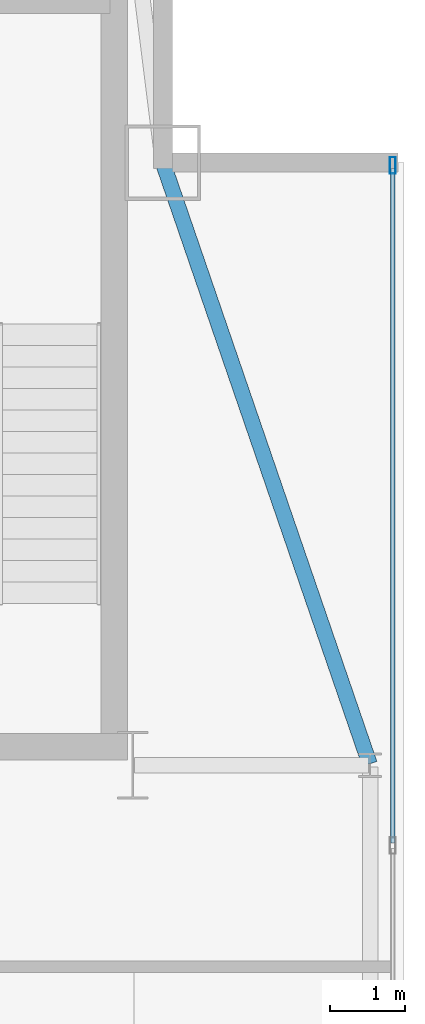
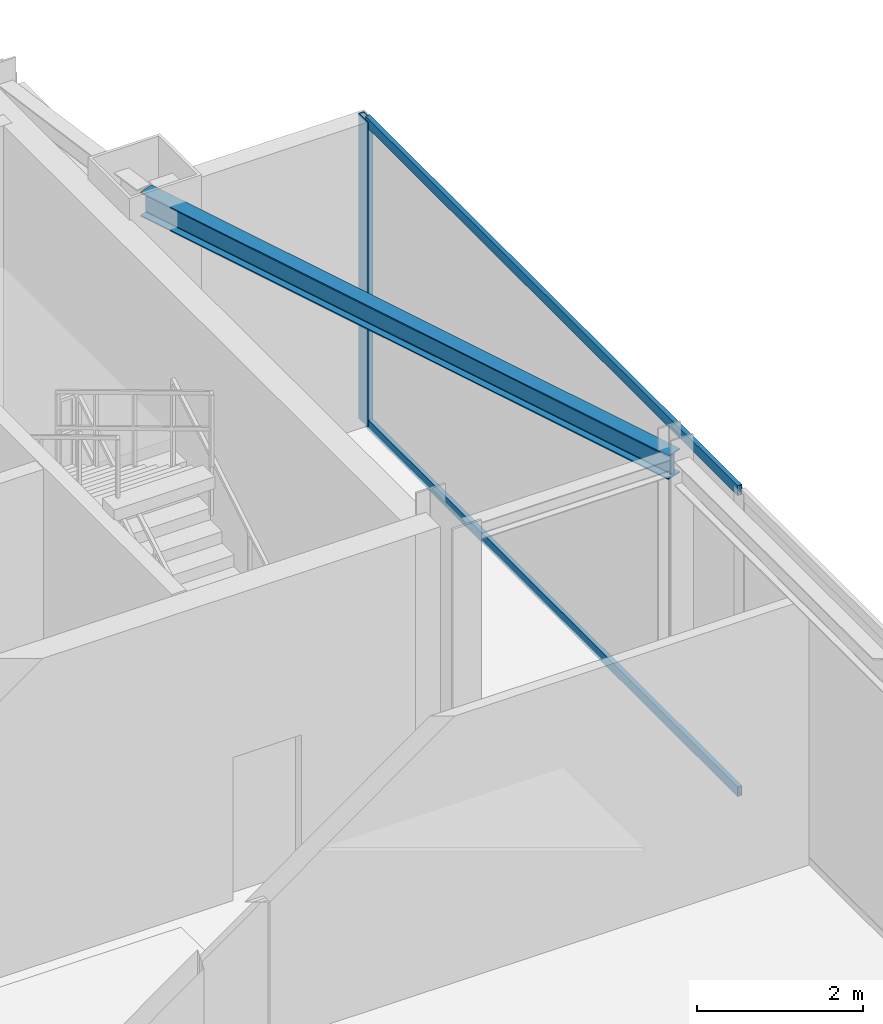
# One storey, part 16 of 20: 3 members, 1 beam, 1 element without a shape of its own.
"""IFC4 building model written with IfcOpenShell, lengths in metres."""

from ifc_helpers import new_model, si_unit, direction, frame, origin, origin_2d, place, context, subcontext, project, spatial, hollow_rectangle, i_section, extrude, source, transform, mapped, material, layer, layer_set, material_profile, profile_set, type_object, type_shapes, element, aggregate, save


model = new_model("IFC4")

# Units and contexts
model_context = context("Model", 3, precision=1e-05, world=origin(), true_north=direction((0.0, 1.0)))
body_context = subcontext(model_context, "Body", "Model", "MODEL_VIEW")
ifc_project = project(units=[si_unit("LENGTHUNIT", "METRE"), si_unit("AREAUNIT", "SQUARE_METRE"), si_unit("VOLUMEUNIT", "CUBIC_METRE"), si_unit("PLANEANGLEUNIT", "RADIAN"), si_unit("MASSUNIT", "GRAM", prefix="KILO")], contexts=[model_context])

# Site, building, storey
site_placement = place(None, origin())
site = spatial("IfcSite", under=ifc_project, at=site_placement, CompositionType="ELEMENT")
building_placement = place(site_placement, origin())
building = spatial("IfcBuilding", under=site, at=building_placement, Name="Varnel Quay Broadcast Tower", CompositionType="ELEMENT")
storey_placement = place(building_placement, frame((0.0, 0.0, 309.800048828125)))
storey = spatial("IfcBuildingStorey", under=building, at=storey_placement, Name="L77", CompositionType="ELEMENT", Elevation=309.800048828125)

# Beam
ifc_material_1 = material(Name="Structural Steel CSA G40.21 350W", Category="steel")
ifc_material_profile_1 = material_profile(ifc_material_1, i_section(OverallWidth=0.205078125, OverallDepth=0.35400390625, WebThickness=0.009521484375, FlangeThickness=0.016845703125, FilletRadius=0.012939453125, at=origin_2d()), Name="W360X79")
ifc_profile_set_1 = profile_set([ifc_material_profile_1], Name="Structural Steel CSA G40.21 350W")
beam_type = type_object("IfcBeamType", Name="Beam_W360X79", PredefinedType="SPANDREL", material=ifc_profile_set_1)
shared_shape_1 = source(origin(), body_context, "Body", "SweptSolid", [
    extrude(i_section(OverallWidth=0.205078125, OverallDepth=0.35400390625, WebThickness=0.009521484375, FlangeThickness=0.016845703125, FilletRadius=0.012939453125, at=origin_2d()), origin(), (0.0, 0.0, 1.0), 8.41943359375),
])
type_shapes(beam_type, [shared_shape_1])
beam_placement = place(storey_placement, frame((55.54345703125, 35.618896484375, 4.302978515625), z_axis=(-0.325087062108, 0.945684092099, 0.0), x_axis=(-0.945684092099, -0.325087062108, 0.0)))
element("IfcBeam", 1, at=beam_placement, inside=storey, type_object=beam_type, Name="L77 East Spandrel TC-E2-MC-NE", PredefinedType="SPANDREL", context=body_context, shape_type="MappedRepresentation", body=[
    mapped(shared_shape_1, transform((0.0, 0.0, 0.0), x_axis=(1.0, 0.0, 0.0), y_axis=(0.0, 1.0, 0.0), z_axis=(0.0, 0.0, 1.0), scale=1.0)),
])

# Curtain wall, members
ifc_material_2 = material(Name="Anodised Bronze Aluminium 6063-T6", Category="aluminium")
ifc_layer = layer(ifc_material_2, 0.18994140625, Name="Anodised Bronze Aluminium 6063-T6")
ifc_layer_set = layer_set([ifc_layer], Name="Anodised Bronze Aluminium 6063-T6")
curtain_wall_type = type_object("IfcCurtainWallType", Name="CW_SkyObsHighVis", PredefinedType="NOTDEFINED", material=ifc_layer_set)
curtain_wall_placement = place(storey_placement, origin())
curtain_wall = element("IfcCurtainWall", 2, at=curtain_wall_placement, inside=storey, type_object=curtain_wall_type, Name="L77 East Unitised Curtain Wall", PredefinedType="NOTDEFINED")
ifc_material_profile_2 = material_profile(ifc_material_2, hollow_rectangle(XDim=0.06005859375, YDim=0.14501953125, WallThickness=0.00341796875, at=origin_2d()), Name="ALU60X145X3.5")
ifc_profile_set_2 = profile_set([ifc_material_profile_2], Name="Anodised Bronze Aluminium 6063-T6")
member_type_1 = type_object("IfcMemberType", Name="Tran_CWS-05", PredefinedType="USERDEFINED", material=ifc_profile_set_2)
shared_shape_2 = source(origin(), body_context, "Body", "SweptSolid", [
    extrude(hollow_rectangle(XDim=0.06005859375, YDim=0.14501953125, WallThickness=0.00341796875, at=origin_2d()), origin(), (0.0, 0.0, 1.0), 8.9541015625),
])
type_shapes(member_type_1, [shared_shape_2])
member_1_placement = place(storey_placement, frame((55.85009765625, 34.57080078125, 0.030029296875), z_axis=(0.0, 1.0, 0.0), x_axis=(-1.0, 0.0, 0.0)))
member_1 = element("IfcMember", 3, at=member_1_placement, type_object=member_type_1, Name="CWS-05 transom 3.1", ObjectType="TRANSOM", PredefinedType="USERDEFINED", context=body_context, shape_type="MappedRepresentation", body=[
    mapped(shared_shape_2, transform((0.0, 0.0, 0.0), x_axis=(1.0, 0.0, 0.0), y_axis=(0.0, 1.0, 0.0), z_axis=(0.0, 0.0, 1.0), scale=1.0)),
])
member_2_placement = place(storey_placement, frame((55.85009765625, 34.57080078125, 4.449951171875), z_axis=(0.0, 1.0, 0.0), x_axis=(-1.0, 0.0, 0.0)))
member_2 = element("IfcMember", 4, at=member_2_placement, type_object=member_type_1, Name="CWS-05 transom 3.2", ObjectType="TRANSOM", PredefinedType="USERDEFINED", context=body_context, shape_type="MappedRepresentation", body=[
    mapped(shared_shape_2, transform((0.0, 0.0, 0.0), x_axis=(1.0, 0.0, 0.0), y_axis=(0.0, 1.0, 0.0), z_axis=(0.0, 0.0, 1.0), scale=1.0)),
])
ifc_material_profile_3 = material_profile(ifc_material_2, hollow_rectangle(XDim=0.074951171875, YDim=0.219970703125, WallThickness=0.00390625, at=origin_2d()), Name="ALU75X220X4")
ifc_profile_set_3 = profile_set([ifc_material_profile_3], Name="Anodised Bronze Aluminium 6063-T6")
member_type_2 = type_object("IfcMemberType", Name="Mull_CWS-05", PredefinedType="MULLION", material=ifc_profile_set_3)
shared_shape_3 = source(origin(), body_context, "Body", "SweptSolid", [
    extrude(hollow_rectangle(XDim=0.074951171875, YDim=0.219970703125, WallThickness=0.00390625, at=origin_2d()), origin(), (0.0, 0.0, 1.0), 4.47998046875),
])
type_shapes(member_type_2, [shared_shape_3])
member_3_placement = place(storey_placement, frame((55.85009765625, 43.5625, 0.0), z_axis=(0.0, 0.0, 1.0), x_axis=(-1.0, 0.0, 0.0)))
member_3 = element("IfcMember", 5, at=member_3_placement, type_object=member_type_2, Name="CWS-05 mullion 4", PredefinedType="MULLION", context=body_context, shape_type="MappedRepresentation", body=[
    mapped(shared_shape_3, transform((0.0, 0.0, 0.0), x_axis=(1.0, 0.0, 0.0), y_axis=(0.0, 1.0, 0.0), z_axis=(0.0, 0.0, 1.0), scale=1.0)),
])
aggregate(curtain_wall, [member_3, member_1, member_2])

save(model, "model.ifc")
